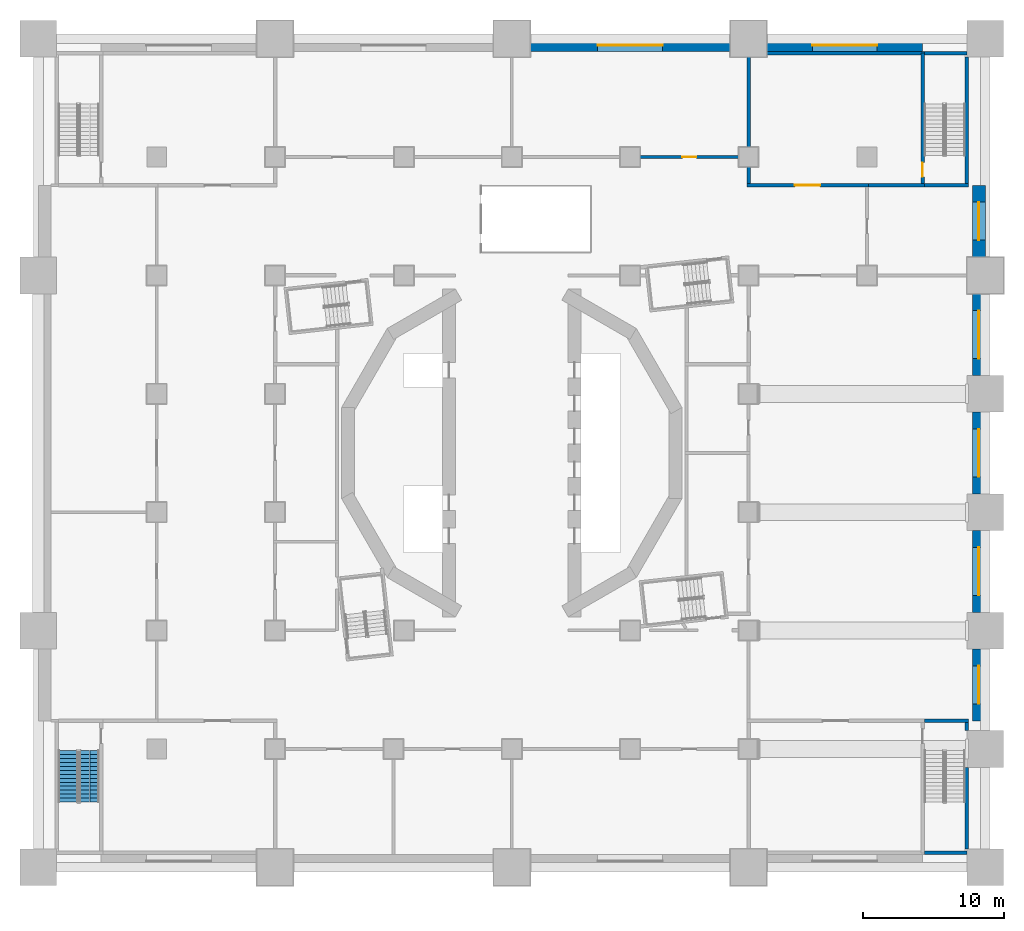
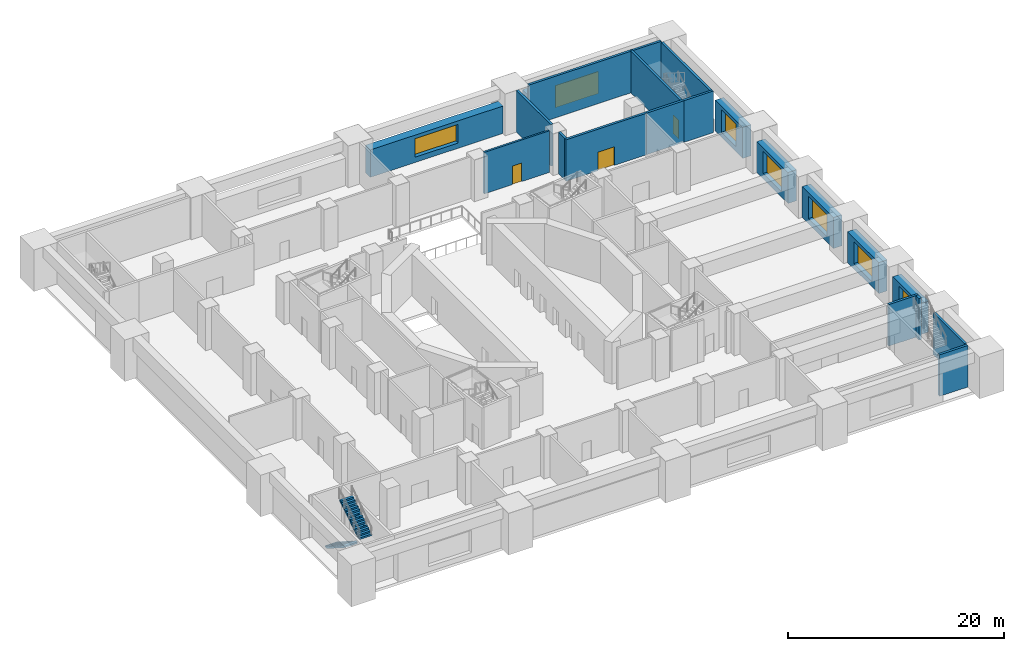
# One storey, part 5 of 17: 21 walls, 7 windows, 3 doors, 2 stair flights, 10 openings, 1 element without a shape of its own.
"""IFC4 building model written with IfcOpenShell, lengths in metres."""

from ifc_helpers import new_model, si_unit, direction, frame, frame_2d, origin, place, context, subcontext, project, spatial, polyline, rectangle, outline, extrude, material, layer, layer_set, type_object, element, fill, aggregate, save


model = new_model("IFC4")

# Units and contexts
model_context = context("Model", 3, precision=1e-05, world=origin(), true_north=direction((0.0, 1.0)))
body_context = subcontext(model_context, "Body", "Model", "MODEL_VIEW")
ifc_project = project(units=[si_unit("LENGTHUNIT", "METRE"), si_unit("AREAUNIT", "SQUARE_METRE"), si_unit("VOLUMEUNIT", "CUBIC_METRE"), si_unit("PLANEANGLEUNIT", "RADIAN"), si_unit("MASSUNIT", "GRAM", prefix="KILO")], contexts=[model_context])

# Site, building, storey
site_placement = place(None, origin())
site = spatial("IfcSite", under=ifc_project, at=site_placement, CompositionType="ELEMENT")
building_placement = place(site_placement, origin())
building = spatial("IfcBuilding", under=site, at=building_placement, Name="Cantera Rosa Tower", CompositionType="ELEMENT")
storey_placement = place(building_placement, frame((0.0, 0.0, 22.0)))
storey = spatial("IfcBuildingStorey", under=building, at=storey_placement, Name="L03", CompositionType="ELEMENT", Elevation=22.0)

# Wall, opening, door
ifc_material_1 = material(Name="Masonry blockwork", Category="masonry")
ifc_layer_1 = layer(ifc_material_1, 0.199951171875)
ifc_layer_set_1 = layer_set([ifc_layer_1], Name="Blockwork partition 200")
wall_type_1 = type_object("IfcWallType", Name="Blockwork partition 200", PredefinedType="PARTITIONING", material=ifc_layer_set_1)
wall_1_placement = place(storey_placement, frame((9.10009765625, 21.0, 0.0), z_axis=(0.0, 0.0, 1.0), x_axis=(1.0, 0.0, 0.0)))
wall_1 = element("IfcWall", 1, at=wall_1_placement, inside=storey, type_object=wall_type_1, Name="Partition L03-82", PredefinedType="PARTITIONING", context=body_context, shape_type="SweptSolid", body=[
    extrude(rectangle(XDim=7.0, YDim=0.199951171875, at=frame_2d((3.5, 0.0))), origin(), (0.0, 0.0, 1.0), 4.699951171875),
])
opening_1_placement = place(wall_1_placement, frame((3.0, 0.0, 0.0)))
opening_1 = element("IfcOpeningElement", 2, at=opening_1_placement, cuts=wall_1, Name="Opening L03-002", PredefinedType="OPENING", context=body_context, shape_type="SweptSolid", body=[
    extrude(rectangle(XDim=1.0, YDim=2.10009765625, at=frame_2d((0.5, 1.050048828125))), frame((0.0, 0.10986328125, 0.0), z_axis=(0.0, -1.0, 0.0), x_axis=(1.0, 0.0, 0.0)), (0.0, 0.0, 1.0), 0.219970703125),
])
ifc_material_2 = material(Name="Timber", Category="wood")
door_type_1 = type_object("IfcDoorType", Name="Door 1000x2100", OperationType="NOTDEFINED", PredefinedType="DOOR", material=ifc_material_2)
door_1_placement = place(opening_1_placement, origin())
door_1 = element("IfcDoor", 3, at=door_1_placement, inside=storey, type_object=door_type_1, Name="Door L03-002", OverallHeight=2.10009765625, OverallWidth=1.0, PredefinedType="DOOR", context=body_context, shape_type="SweptSolid", body=[
    extrude(rectangle(XDim=1.0, YDim=2.10009765625, at=frame_2d((0.5, 1.050048828125))), frame((0.0, 0.02490234375, 0.0), z_axis=(0.0, -1.0, 0.0), x_axis=(1.0, 0.0, 0.0)), (0.0, 0.0, 1.0), 0.050048828125),
])
fill(opening_1, door_1)

# Walls
ifc_material_3 = material(Name="Concrete C50/60", Category="concrete")
ifc_layer_2 = layer(ifc_material_3, 0.25)
ifc_layer_set_2 = layer_set([ifc_layer_2], Name="External stair wall 250")
wall_type_2 = type_object("IfcWallType", Name="External stair wall 250", PredefinedType="SOLIDWALL", material=ifc_layer_set_2)
for number, where, z_axis, x_axis, name in (
    (4, (29.27490234375, 28.375, 0.0), (0.0, 0.0, 1.0), (1.0, 0.0, 0.0), "Stair wall L03-53"),
    (5, (32.300048828125, -28.375, 0.0), (0.0, 0.0, 1.0), (-1.0, 0.0, 0.0), "Stair wall L03-76"),
):
    element("IfcWall", number, at=place(storey_placement, frame(where, z_axis=z_axis, x_axis=x_axis)), inside=storey, type_object=wall_type_2, Name=name, PredefinedType="SOLIDWALL", context=body_context, shape_type="SweptSolid", body=[
        extrude(rectangle(XDim=3.025146484375, YDim=0.25, at=frame_2d((1.5126953125, 0.0))), origin(), (0.0, 0.0, 1.0), 4.699951171875),
    ])
ifc_material_4 = material(Name="Masonry blockwork", Category="masonry")
ifc_layer_3 = layer(ifc_material_4, 0.25)
ifc_layer_set_3 = layer_set([ifc_layer_3], Name="Fire-rated external wall 250")
wall_type_3 = type_object("IfcWallType", Name="Fire-rated external wall 250", PredefinedType="PARTITIONING", material=ifc_layer_set_3)
wall_2_placement = place(storey_placement, frame((18.10009765625, 28.375, 0.0), z_axis=(0.0, 0.0, 1.0), x_axis=(1.0, 0.0, 0.0)))
element("IfcWall", 6, at=wall_2_placement, inside=storey, type_object=wall_type_3, Name="Fire wall L03-52", PredefinedType="PARTITIONING", context=body_context, shape_type="SweptSolid", body=[
    extrude(rectangle(XDim=11.1748046875, YDim=0.25, at=frame_2d((5.58740234375, 0.0))), origin(), (0.0, 0.0, 1.0), 4.699951171875),
])
ifc_material_5 = material(Name="Masonry blockwork", Category="masonry")
ifc_layer_4 = layer(ifc_material_5, 0.25)
ifc_layer_set_4 = layer_set([ifc_layer_4], Name="Fire-rated wall 250")
wall_type_4 = type_object("IfcWallType", Name="Fire-rated wall 250", PredefinedType="PARTITIONING", material=ifc_layer_set_4)
wall_3_placement = place(storey_placement, frame((16.800048828125, 19.125, 0.0), z_axis=(0.0, 0.0, 1.0), x_axis=(0.0, 1.0, 0.0)))
element("IfcWall", 7, at=wall_3_placement, inside=storey, type_object=wall_type_4, Name="Fire wall L03-32", PredefinedType="PARTITIONING", context=body_context, shape_type="SweptSolid", body=[
    extrude(rectangle(XDim=1.175048828125, YDim=0.25, at=frame_2d((0.58740234375, 0.0))), origin(), (0.0, 0.0, 1.0), 4.699951171875),
])
wall_4_placement = place(storey_placement, frame((16.800048828125, 21.699951171875, 0.0), z_axis=(0.0, 0.0, 1.0), x_axis=(0.0, 1.0, 0.0)))
element("IfcWall", 8, at=wall_4_placement, inside=storey, type_object=wall_type_4, Name="Fire wall L03-33", PredefinedType="PARTITIONING", context=body_context, shape_type="SweptSolid", body=[
    extrude(rectangle(XDim=6.400146484375, YDim=0.25, at=frame_2d((3.2001953125, 0.0))), origin(), (0.0, 0.0, 1.0), 4.699951171875),
])

# Wall, opening, door
wall_5_placement = place(storey_placement, frame((16.675048828125, 19.0, 0.0), z_axis=(0.0, 0.0, 1.0), x_axis=(1.0, 0.0, 0.0)))
wall_5 = element("IfcWall", 9, at=wall_5_placement, inside=storey, type_object=wall_type_4, Name="Fire wall L03-60", PredefinedType="PARTITIONING", context=body_context, shape_type="SweptSolid", body=[
    extrude(rectangle(XDim=8.625, YDim=0.25, at=frame_2d((4.3125, 0.0))), origin(), (0.0, 0.0, 1.0), 4.699951171875),
])
opening_2_placement = place(wall_5_placement, frame((3.41259765625, 0.0, 0.0)))
opening_2 = element("IfcOpeningElement", 10, at=opening_2_placement, cuts=wall_5, Name="Opening L03-016", PredefinedType="OPENING", context=body_context, shape_type="SweptSolid", body=[
    extrude(rectangle(XDim=1.800048828125, YDim=2.10009765625, at=frame_2d((0.89990234375, 1.050048828125))), frame((0.0, 0.135009765625, 0.0), z_axis=(0.0, -1.0, 0.0), x_axis=(1.0, 0.0, 0.0)), (0.0, 0.0, 1.0), 0.27001953125),
])
ifc_material_6 = material(Name="Steel S355J2 (EN 10025-2)", Category="steel")
door_type_2 = type_object("IfcDoorType", Name="Fire double door 1800x2100", OperationType="NOTDEFINED", PredefinedType="DOOR", material=ifc_material_6)
door_2_placement = place(opening_2_placement, origin())
door_2 = element("IfcDoor", 11, at=door_2_placement, inside=storey, type_object=door_type_2, Name="Door L03-016", OperationType="DOUBLE_DOOR_SINGLE_SWING", OverallHeight=2.10009765625, OverallWidth=1.800048828125, PredefinedType="DOOR", context=body_context, shape_type="SweptSolid", body=[
    extrude(rectangle(XDim=1.800048828125, YDim=2.10009765625, at=frame_2d((0.89990234375, 1.050048828125))), frame((0.0, 0.02490234375, 0.0), z_axis=(0.0, -1.0, 0.0), x_axis=(1.0, 0.0, 0.0)), (0.0, 0.0, 1.0), 0.050048828125),
])
fill(opening_2, door_2)

# Walls
wall_6_placement = place(storey_placement, frame((25.300048828125, 19.0, 0.0), z_axis=(0.0, 0.0, 1.0), x_axis=(1.0, 0.0, 0.0)))
element("IfcWall", 12, at=wall_6_placement, inside=storey, type_object=wall_type_4, Name="Fire wall L03-61", PredefinedType="PARTITIONING", context=body_context, shape_type="SweptSolid", body=[
    extrude(rectangle(XDim=3.974853515625, YDim=0.25, at=frame_2d((1.9873046875, 0.0))), origin(), (0.0, 0.0, 1.0), 4.699951171875),
])
ifc_material_7 = material(Name="Concrete C50/60", Category="concrete")
ifc_layer_5 = layer(ifc_material_7, 0.25)
ifc_layer_set_5 = layer_set([ifc_layer_5], Name="RC stair wall 250 C50/60")
wall_type_5 = type_object("IfcWallType", Name="RC stair wall 250", PredefinedType="SOLIDWALL", material=ifc_layer_set_5)
wall_7_placement = place(storey_placement, frame((32.300048828125, -28.10009765625, 0.0), z_axis=(0.0, 0.0, 1.0), x_axis=(0.0, 1.0, 0.0)))
element("IfcWall", 13, at=wall_7_placement, inside=storey, type_object=wall_type_5, Name="Stair wall L03-47", PredefinedType="SOLIDWALL", context=body_context, shape_type="SweptSolid", body=[
    extrude(rectangle(XDim=5.800048828125, YDim=0.25, at=frame_2d((2.89990234375, 0.0))), origin(), (0.0, 0.0, 1.0), 4.699951171875),
])
wall_8_placement = place(storey_placement, frame((32.300048828125, -19.699951171875, 0.0), z_axis=(0.0, 0.0, 1.0), x_axis=(0.0, 1.0, 0.0)))
element("IfcWall", 14, at=wall_8_placement, inside=storey, type_object=wall_type_5, Name="Stair wall L03-48", PredefinedType="SOLIDWALL", context=body_context, shape_type="SweptSolid", body=[
    extrude(rectangle(XDim=0.574951171875, YDim=0.25, at=frame_2d((0.28759765625, 0.0))), origin(), (0.0, 0.0, 1.0), 4.699951171875),
])
wall_9_placement = place(storey_placement, frame((32.300048828125, 19.125, 0.0), z_axis=(0.0, 0.0, 1.0), x_axis=(0.0, 1.0, 0.0)))
element("IfcWall", 15, at=wall_9_placement, inside=storey, type_object=wall_type_5, Name="Stair wall L03-49", PredefinedType="SOLIDWALL", context=body_context, shape_type="SweptSolid", body=[
    extrude(rectangle(XDim=8.97509765625, YDim=0.25, at=frame_2d((4.487548828125, 0.0))), origin(), (0.0, 0.0, 1.0), 4.699951171875),
])

# Wall, opening, door
wall_10_placement = place(storey_placement, frame((29.14990234375, 19.125, 0.0), z_axis=(0.0, 0.0, 1.0), x_axis=(0.0, 1.0, 0.0)))
wall_10 = element("IfcWall", 16, at=wall_10_placement, inside=storey, type_object=wall_type_5, Name="Stair wall L03-55", PredefinedType="SOLIDWALL", context=body_context, shape_type="SweptSolid", body=[
    extrude(rectangle(XDim=9.25, YDim=0.25, at=frame_2d((4.625, 0.0))), origin(), (0.0, 0.0, 1.0), 4.699951171875),
])
opening_3_placement = place(wall_10_placement, frame((0.47509765625, 0.0, 0.0)))
opening_3 = element("IfcOpeningElement", 17, at=opening_3_placement, cuts=wall_10, Name="Opening L03-017", PredefinedType="OPENING", context=body_context, shape_type="SweptSolid", body=[
    extrude(rectangle(XDim=1.0, YDim=2.10009765625, at=frame_2d((0.5, 1.050048828125))), frame((0.0, 0.135009765625, 0.0), z_axis=(0.0, -1.0, 0.0), x_axis=(1.0, 0.0, 0.0)), (0.0, 0.0, 1.0), 0.27001953125),
])
ifc_material_8 = material(Name="Steel S355J2 (EN 10025-2)", Category="steel")
door_type_3 = type_object("IfcDoorType", Name="Fire door 1000x2100 EI 120", OperationType="NOTDEFINED", PredefinedType="DOOR", material=ifc_material_8)
door_3_placement = place(opening_3_placement, origin())
door_3 = element("IfcDoor", 18, at=door_3_placement, inside=storey, type_object=door_type_3, Name="Door L03-017", OverallHeight=2.10009765625, OverallWidth=1.0, PredefinedType="DOOR", context=body_context, shape_type="SweptSolid", body=[
    extrude(rectangle(XDim=1.0, YDim=2.10009765625, at=frame_2d((0.5, 1.050048828125))), frame((0.0, 0.02490234375, 0.0), z_axis=(0.0, -1.0, 0.0), x_axis=(1.0, 0.0, 0.0)), (0.0, 0.0, 1.0), 0.050048828125),
])
fill(opening_3, door_3)

# Walls
for number, where, z_axis, x_axis, name in (
    (19, (29.27490234375, 19.0, 0.0), (0.0, 0.0, 1.0), (1.0, 0.0, 0.0), "Stair wall L03-62"),
    (20, (29.27490234375, -19.0, 0.0), (0.0, 0.0, 1.0), (1.0, 0.0, 0.0), "Stair wall L03-72"),
):
    element("IfcWall", number, at=place(storey_placement, frame(where, z_axis=z_axis, x_axis=x_axis)), inside=storey, type_object=wall_type_5, Name=name, PredefinedType="SOLIDWALL", context=body_context, shape_type="SweptSolid", body=[
        extrude(rectangle(XDim=3.150146484375, YDim=0.25, at=frame_2d((1.5751953125, 0.0))), origin(), (0.0, 0.0, 1.0), 4.699951171875),
    ])

# Wall, opening, window
ifc_material_9 = material(Name="Concrete C40/50 with limestone facing", Category="masonry")
ifc_layer_6 = layer(ifc_material_9, 0.89990234375)
ifc_layer_set_6 = layer_set([ifc_layer_6], Name="Stone podium wall 900")
wall_type_6 = type_object("IfcWallType", Name="Stone podium wall 900", PredefinedType="SOLIDWALL", material=ifc_layer_set_6)
wall_11_placement = place(storey_placement, frame((18.10009765625, 28.949951171875, 0.0), z_axis=(0.0, 0.0, 1.0), x_axis=(1.0, 0.0, 0.0)))
wall_11 = element("IfcWall", 21, at=wall_11_placement, inside=storey, type_object=wall_type_6, Name="Stone wall N L03-4", PredefinedType="SOLIDWALL", context=body_context, shape_type="SweptSolid", body=[
    extrude(rectangle(XDim=11.0498046875, YDim=0.89990234375, at=frame_2d((5.52490234375, 0.0))), origin(), (0.0, 0.0, 1.0), 3.5),
])
opening_4_placement = place(wall_11_placement, frame((3.22509765625, 0.0, 0.60009765625)))
opening_4 = element("IfcOpeningElement", 22, at=opening_4_placement, cuts=wall_11, Name="Opening L03-PWN4", PredefinedType="OPENING", context=body_context, shape_type="SweptSolid", body=[
    extrude(rectangle(XDim=4.60009765625, YDim=2.5, at=frame_2d((2.300048828125, 1.25))), frame((0.0, 0.4599609375, 0.0), z_axis=(0.0, -1.0, 0.0), x_axis=(1.0, 0.0, 0.0)), (0.0, 0.0, 1.0), 0.919921875),
])
ifc_material_10 = material(Name="Glass", Category="glass")
window_type_1 = type_object("IfcWindowType", Name="Podium window 4600x2500", PartitioningType="SINGLE_PANEL", PredefinedType="WINDOW", material=ifc_material_10)
window_1_placement = place(opening_4_placement, origin())
window_1 = element("IfcWindow", 23, at=window_1_placement, inside=storey, type_object=window_type_1, Name="Podium window L03-N4", OverallHeight=2.5, OverallWidth=4.60009765625, PartitioningType="SINGLE_PANEL", PredefinedType="WINDOW", context=body_context, shape_type="SweptSolid", body=[
    extrude(rectangle(XDim=4.60009765625, YDim=2.5, at=frame_2d((2.300048828125, 1.25))), frame((0.0, 0.030029296875, 0.0), z_axis=(0.0, -1.0, 0.0), x_axis=(1.0, 0.0, 0.0)), (0.0, 0.0, 1.0), 0.06005859375),
])
fill(opening_4, window_1)

wall_12_placement = place(storey_placement, frame((33.14990234375, -19.0, 0.0), z_axis=(0.0, 0.0, 1.0), x_axis=(0.0, 1.0, 0.0)))
wall_12 = element("IfcWall", 24, at=wall_12_placement, inside=storey, type_object=wall_type_6, Name="Stone wall E L03-1", PredefinedType="SOLIDWALL", context=body_context, shape_type="SweptSolid", body=[
    extrude(rectangle(XDim=5.10009765625, YDim=0.89990234375, at=frame_2d((2.550048828125, 0.0))), origin(), (0.0, 0.0, 1.0), 3.5),
])
opening_5_placement = place(wall_12_placement, frame((1.199951171875, 0.0, 0.60009765625)))
opening_5 = element("IfcOpeningElement", 25, at=opening_5_placement, cuts=wall_12, Name="Opening L03-PWE1", PredefinedType="OPENING", context=body_context, shape_type="SweptSolid", body=[
    extrude(rectangle(XDim=2.699951171875, YDim=2.5, at=frame_2d((1.35009765625, 1.25))), frame((0.0, 0.4599609375, 0.0), z_axis=(0.0, -1.0, 0.0), x_axis=(1.0, 0.0, 0.0)), (0.0, 0.0, 1.0), 0.919921875),
])
ifc_material_11 = material(Name="Glass", Category="glass")
window_type_2 = type_object("IfcWindowType", Name="Podium window 2700x2500", PartitioningType="SINGLE_PANEL", PredefinedType="WINDOW", material=ifc_material_11)
window_2_placement = place(opening_5_placement, origin())
window_2 = element("IfcWindow", 26, at=window_2_placement, inside=storey, type_object=window_type_2, Name="Podium window L03-E1", OverallHeight=2.5, OverallWidth=2.699951171875, PartitioningType="SINGLE_PANEL", PredefinedType="WINDOW", context=body_context, shape_type="SweptSolid", body=[
    extrude(rectangle(XDim=2.699951171875, YDim=2.5, at=frame_2d((1.35009765625, 1.25))), frame((0.0, 0.030029296875, 0.0), z_axis=(0.0, -1.0, 0.0), x_axis=(1.0, 0.0, 0.0)), (0.0, 0.0, 1.0), 0.06005859375),
])
fill(opening_5, window_2)

wall_13_placement = place(storey_placement, frame((33.14990234375, -11.300048828125, 0.0), z_axis=(0.0, 0.0, 1.0), x_axis=(0.0, 1.0, 0.0)))
wall_13 = element("IfcWall", 27, at=wall_13_placement, inside=storey, type_object=wall_type_6, Name="Stone wall E L03-2", PredefinedType="SOLIDWALL", context=body_context, shape_type="SweptSolid", body=[
    extrude(rectangle(XDim=5.800048828125, YDim=0.89990234375, at=frame_2d((2.89990234375, 0.0))), origin(), (0.0, 0.0, 1.0), 3.5),
])
opening_6_placement = place(wall_13_placement, frame((1.199951171875, 0.0, 0.60009765625)))
opening_6 = element("IfcOpeningElement", 28, at=opening_6_placement, cuts=wall_13, Name="Opening L03-PWE2", PredefinedType="OPENING", context=body_context, shape_type="SweptSolid", body=[
    extrude(rectangle(XDim=3.39990234375, YDim=2.5, at=frame_2d((1.699951171875, 1.25))), frame((0.0, 0.4599609375, 0.0), z_axis=(0.0, -1.0, 0.0), x_axis=(1.0, 0.0, 0.0)), (0.0, 0.0, 1.0), 0.919921875),
])
ifc_material_12 = material(Name="Glass", Category="glass")
window_type_3 = type_object("IfcWindowType", Name="Podium window 3400x2500", PartitioningType="SINGLE_PANEL", PredefinedType="WINDOW", material=ifc_material_12)
window_3_placement = place(opening_6_placement, origin())
window_3 = element("IfcWindow", 29, at=window_3_placement, inside=storey, type_object=window_type_3, Name="Podium window L03-E2", OverallHeight=2.5, OverallWidth=3.39990234375, PartitioningType="SINGLE_PANEL", PredefinedType="WINDOW", context=body_context, shape_type="SweptSolid", body=[
    extrude(rectangle(XDim=3.39990234375, YDim=2.5, at=frame_2d((1.699951171875, 1.25))), frame((0.0, 0.030029296875, 0.0), z_axis=(0.0, -1.0, 0.0), x_axis=(1.0, 0.0, 0.0)), (0.0, 0.0, 1.0), 0.06005859375),
])
fill(opening_6, window_3)

wall_14_placement = place(storey_placement, frame((33.14990234375, -2.89990234375, 0.0), z_axis=(0.0, 0.0, 1.0), x_axis=(0.0, 1.0, 0.0)))
wall_14 = element("IfcWall", 30, at=wall_14_placement, inside=storey, type_object=wall_type_6, Name="Stone wall E L03-3", PredefinedType="SOLIDWALL", context=body_context, shape_type="SweptSolid", body=[
    extrude(rectangle(XDim=5.7998046875, YDim=0.89990234375, at=frame_2d((2.89990234375, 0.0))), origin(), (0.0, 0.0, 1.0), 3.5),
])
opening_7_placement = place(wall_14_placement, frame((1.199951171875, 0.0, 0.60009765625)))
opening_7 = element("IfcOpeningElement", 31, at=opening_7_placement, cuts=wall_14, Name="Opening L03-PWE3", PredefinedType="OPENING", context=body_context, shape_type="SweptSolid", body=[
    extrude(rectangle(XDim=3.39990234375, YDim=2.5, at=frame_2d((1.699951171875, 1.25))), frame((0.0, 0.4599609375, 0.0), z_axis=(0.0, -1.0, 0.0), x_axis=(1.0, 0.0, 0.0)), (0.0, 0.0, 1.0), 0.919921875),
])
window_4_placement = place(opening_7_placement, origin())
window_4 = element("IfcWindow", 32, at=window_4_placement, inside=storey, type_object=window_type_3, Name="Podium window L03-E3", OverallHeight=2.5, OverallWidth=3.39990234375, PartitioningType="SINGLE_PANEL", PredefinedType="WINDOW", context=body_context, shape_type="SweptSolid", body=[
    extrude(rectangle(XDim=3.39990234375, YDim=2.5, at=frame_2d((1.699951171875, 1.25))), frame((0.0, 0.030029296875, 0.0), z_axis=(0.0, -1.0, 0.0), x_axis=(1.0, 0.0, 0.0)), (0.0, 0.0, 1.0), 0.06005859375),
])
fill(opening_7, window_4)

wall_15_placement = place(storey_placement, frame((33.14990234375, 5.5, 0.0), z_axis=(0.0, 0.0, 1.0), x_axis=(0.0, 1.0, 0.0)))
wall_15 = element("IfcWall", 33, at=wall_15_placement, inside=storey, type_object=wall_type_6, Name="Stone wall E L03-4", PredefinedType="SOLIDWALL", context=body_context, shape_type="SweptSolid", body=[
    extrude(rectangle(XDim=5.800048828125, YDim=0.89990234375, at=frame_2d((2.89990234375, 0.0))), origin(), (0.0, 0.0, 1.0), 3.5),
])
opening_8_placement = place(wall_15_placement, frame((1.199951171875, 0.0, 0.60009765625)))
opening_8 = element("IfcOpeningElement", 34, at=opening_8_placement, cuts=wall_15, Name="Opening L03-PWE4", PredefinedType="OPENING", context=body_context, shape_type="SweptSolid", body=[
    extrude(rectangle(XDim=3.39990234375, YDim=2.5, at=frame_2d((1.699951171875, 1.25))), frame((0.0, 0.4599609375, 0.0), z_axis=(0.0, -1.0, 0.0), x_axis=(1.0, 0.0, 0.0)), (0.0, 0.0, 1.0), 0.919921875),
])
window_5_placement = place(opening_8_placement, origin())
window_5 = element("IfcWindow", 35, at=window_5_placement, inside=storey, type_object=window_type_3, Name="Podium window L03-E4", OverallHeight=2.5, OverallWidth=3.39990234375, PartitioningType="SINGLE_PANEL", PredefinedType="WINDOW", context=body_context, shape_type="SweptSolid", body=[
    extrude(rectangle(XDim=3.39990234375, YDim=2.5, at=frame_2d((1.699951171875, 1.25))), frame((0.0, 0.030029296875, 0.0), z_axis=(0.0, -1.0, 0.0), x_axis=(1.0, 0.0, 0.0)), (0.0, 0.0, 1.0), 0.06005859375),
])
fill(opening_8, window_5)

wall_16_placement = place(storey_placement, frame((33.14990234375, 13.89990234375, 0.0), z_axis=(0.0, 0.0, 1.0), x_axis=(0.0, 1.0, 0.0)))
wall_16 = element("IfcWall", 36, at=wall_16_placement, inside=storey, type_object=wall_type_6, Name="Stone wall E L03-5", PredefinedType="SOLIDWALL", context=body_context, shape_type="SweptSolid", body=[
    extrude(rectangle(XDim=5.10009765625, YDim=0.89990234375, at=frame_2d((2.550048828125, 0.0))), origin(), (0.0, 0.0, 1.0), 3.5),
])
opening_9_placement = place(wall_16_placement, frame((1.199951171875, 0.0, 0.60009765625)))
opening_9 = element("IfcOpeningElement", 37, at=opening_9_placement, cuts=wall_16, Name="Opening L03-PWE5", PredefinedType="OPENING", context=body_context, shape_type="SweptSolid", body=[
    extrude(rectangle(XDim=2.699951171875, YDim=2.5, at=frame_2d((1.35009765625, 1.25))), frame((0.0, 0.4599609375, 0.0), z_axis=(0.0, -1.0, 0.0), x_axis=(1.0, 0.0, 0.0)), (0.0, 0.0, 1.0), 0.919921875),
])
window_6_placement = place(opening_9_placement, origin())
window_6 = element("IfcWindow", 38, at=window_6_placement, inside=storey, type_object=window_type_2, Name="Podium window L03-E5", OverallHeight=2.5, OverallWidth=2.699951171875, PartitioningType="SINGLE_PANEL", PredefinedType="WINDOW", context=body_context, shape_type="SweptSolid", body=[
    extrude(rectangle(XDim=2.699951171875, YDim=2.5, at=frame_2d((1.35009765625, 1.25))), frame((0.0, 0.030029296875, 0.0), z_axis=(0.0, -1.0, 0.0), x_axis=(1.0, 0.0, 0.0)), (0.0, 0.0, 1.0), 0.06005859375),
])
fill(opening_9, window_6)

ifc_material_13 = material(Name="Concrete C40/50 with limestone facing", Category="masonry")
ifc_layer_7 = layer(ifc_material_13, 0.89990234375)
ifc_layer_set_7 = layer_set([ifc_layer_7], Name="Stone podium wall 900 under deep girder")
wall_type_7 = type_object("IfcWallType", Name="Stone podium wall 900 under deep girder", PredefinedType="SOLIDWALL", material=ifc_layer_set_7)
wall_17_placement = place(storey_placement, frame((1.300048828125, 28.949951171875, 0.0), z_axis=(0.0, 0.0, 1.0), x_axis=(1.0, 0.0, 0.0)))
wall_17 = element("IfcWall", 39, at=wall_17_placement, inside=storey, type_object=wall_type_7, Name="Stone wall N L03-3", PredefinedType="SOLIDWALL", context=body_context, shape_type="SweptSolid", body=[
    extrude(rectangle(XDim=14.199951171875, YDim=0.89990234375, at=frame_2d((7.10009765625, 0.0))), origin(), (0.0, 0.0, 1.0), 3.10009765625),
])
opening_10_placement = place(wall_17_placement, frame((4.800048828125, 0.0, 0.60009765625)))
opening_10 = element("IfcOpeningElement", 40, at=opening_10_placement, cuts=wall_17, Name="Opening L03-PWN3", PredefinedType="OPENING", context=body_context, shape_type="SweptSolid", body=[
    extrude(rectangle(XDim=4.60009765625, YDim=2.10009765625, at=frame_2d((2.300048828125, 1.050048828125))), frame((0.0, 0.4599609375, 0.0), z_axis=(0.0, -1.0, 0.0), x_axis=(1.0, 0.0, 0.0)), (0.0, 0.0, 1.0), 0.919921875),
])
ifc_material_14 = material(Name="Glass", Category="glass")
window_type_4 = type_object("IfcWindowType", Name="Podium window 4600x2100", PartitioningType="SINGLE_PANEL", PredefinedType="WINDOW", material=ifc_material_14)
window_7_placement = place(opening_10_placement, origin())
window_7 = element("IfcWindow", 41, at=window_7_placement, inside=storey, type_object=window_type_4, Name="Podium window L03-N3", OverallHeight=2.10009765625, OverallWidth=4.60009765625, PartitioningType="SINGLE_PANEL", PredefinedType="WINDOW", context=body_context, shape_type="SweptSolid", body=[
    extrude(rectangle(XDim=4.60009765625, YDim=2.10009765625, at=frame_2d((2.300048828125, 1.050048828125))), frame((0.0, 0.030029296875, 0.0), z_axis=(0.0, -1.0, 0.0), x_axis=(1.0, 0.0, 0.0)), (0.0, 0.0, 1.0), 0.06005859375),
])
fill(opening_10, window_7)

# Stair, stair flights
ifc_material_15 = material(Name="Concrete C35/45", Category="concrete")
stair_type = type_object("IfcStairType", Name="Stair half-turn 1350", PredefinedType="HALF_TURN_STAIR", material=ifc_material_15)
stair_placement = place(storey_placement, origin())
stair = element("IfcStair", 42, at=stair_placement, inside=storey, type_object=stair_type, Name="L03 ST-SW", PredefinedType="HALF_TURN_STAIR")
ifc_material_16 = material(Name="Concrete C35/45", Category="concrete")
stair_flight_type = type_object("IfcStairFlightType", Name="Stair flight 1350", PredefinedType="STRAIGHT", material=ifc_material_16)
stair_flight_1_placement = place(storey_placement, frame((-31.5, -21.125, 0.0), z_axis=(0.0, 0.0, 1.0), x_axis=(0.0, -1.0, 0.0)))
stair_flight_1 = element("IfcStairFlight", 43, at=stair_flight_1_placement, type_object=stair_flight_type, Name="ST-SW flight 1", NumberOfRisers=14, NumberOfTreads=13, PredefinedType="STRAIGHT", RiserHeight=0.178571429, TreadLength=0.28, context=body_context, shape_type="SweptSolid", body=[
    extrude(outline(polyline([(0.0, 0.0), (0.0, 0.178466796875), (0.280029296875, 0.178466796875), (0.280029296875, 0.357177734375), (0.56005859375, 0.357177734375), (0.56005859375, 0.53564453125), (0.840087890625, 0.53564453125), (0.840087890625, 0.71435546875), (1.1201171875, 0.71435546875), (1.1201171875, 0.892822265625), (1.39990234375, 0.892822265625), (1.39990234375, 1.071533203125), (1.679931640625, 1.071533203125), (1.679931640625, 1.25), (1.9599609375, 1.25), (1.9599609375, 1.428466796875), (2.239990234375, 1.428466796875), (2.239990234375, 1.607177734375), (2.52001953125, 1.607177734375), (2.52001953125, 1.78564453125), (2.800048828125, 1.78564453125), (2.800048828125, 1.96435546875), (3.080078125, 1.96435546875), (3.080078125, 2.142822265625), (3.360107421875, 2.142822265625), (3.360107421875, 2.321533203125), (3.639892578125, 2.321533203125), (3.639892578125, 2.5), (3.639892578125, 2.1435546875), (0.27880859375, 0.0), (0.0, 0.0)])), frame((0.0, 0.675048828125, 0.0), z_axis=(0.0, -1.0, 0.0), x_axis=(1.0, 0.0, 0.0)), (0.0, 0.0, 1.0), 0.3359375),
    extrude(outline(polyline([(0.0, 0.0), (0.0, 0.178466796875), (0.280029296875, 0.178466796875), (0.280029296875, 0.357177734375), (0.56005859375, 0.357177734375), (0.56005859375, 0.53564453125), (0.840087890625, 0.53564453125), (0.840087890625, 0.71435546875), (1.1201171875, 0.71435546875), (1.1201171875, 0.892822265625), (1.39990234375, 0.892822265625), (1.39990234375, 1.071533203125), (1.679931640625, 1.071533203125), (1.679931640625, 1.25), (1.9599609375, 1.25), (1.9599609375, 1.428466796875), (2.239990234375, 1.428466796875), (2.239990234375, 1.607177734375), (2.52001953125, 1.607177734375), (2.52001953125, 1.78564453125), (2.800048828125, 1.78564453125), (2.800048828125, 1.96435546875), (3.080078125, 1.96435546875), (3.080078125, 2.142822265625), (3.360107421875, 2.142822265625), (3.360107421875, 2.321533203125), (3.639892578125, 2.321533203125), (3.639892578125, 2.5), (3.639892578125, 2.1435546875), (0.27880859375, 0.0), (0.0, 0.0)])), frame((0.0, 0.337158203125, 0.0), z_axis=(0.0, -1.0, 0.0), x_axis=(1.0, 0.0, 0.0)), (0.0, 0.0, 1.0), 0.3359375),
    extrude(outline(polyline([(0.0, 0.0), (0.0, 0.178466796875), (0.280029296875, 0.178466796875), (0.280029296875, 0.357177734375), (0.56005859375, 0.357177734375), (0.56005859375, 0.53564453125), (0.840087890625, 0.53564453125), (0.840087890625, 0.71435546875), (1.1201171875, 0.71435546875), (1.1201171875, 0.892822265625), (1.39990234375, 0.892822265625), (1.39990234375, 1.071533203125), (1.679931640625, 1.071533203125), (1.679931640625, 1.25), (1.9599609375, 1.25), (1.9599609375, 1.428466796875), (2.239990234375, 1.428466796875), (2.239990234375, 1.607177734375), (2.52001953125, 1.607177734375), (2.52001953125, 1.78564453125), (2.800048828125, 1.78564453125), (2.800048828125, 1.96435546875), (3.080078125, 1.96435546875), (3.080078125, 2.142822265625), (3.360107421875, 2.142822265625), (3.360107421875, 2.321533203125), (3.639892578125, 2.321533203125), (3.639892578125, 2.5), (3.639892578125, 2.1435546875), (0.27880859375, 0.0), (0.0, 0.0)])), frame((0.0, -0.000732421875, 0.0), z_axis=(0.0, -1.0, 0.0), x_axis=(1.0, 0.0, 0.0)), (0.0, 0.0, 1.0), 0.3359375),
    extrude(outline(polyline([(0.0, 0.0), (0.0, 0.178466796875), (0.280029296875, 0.178466796875), (0.280029296875, 0.357177734375), (0.56005859375, 0.357177734375), (0.56005859375, 0.53564453125), (0.840087890625, 0.53564453125), (0.840087890625, 0.71435546875), (1.1201171875, 0.71435546875), (1.1201171875, 0.892822265625), (1.39990234375, 0.892822265625), (1.39990234375, 1.071533203125), (1.679931640625, 1.071533203125), (1.679931640625, 1.25), (1.9599609375, 1.25), (1.9599609375, 1.428466796875), (2.239990234375, 1.428466796875), (2.239990234375, 1.607177734375), (2.52001953125, 1.607177734375), (2.52001953125, 1.78564453125), (2.800048828125, 1.78564453125), (2.800048828125, 1.96435546875), (3.080078125, 1.96435546875), (3.080078125, 2.142822265625), (3.360107421875, 2.142822265625), (3.360107421875, 2.321533203125), (3.639892578125, 2.321533203125), (3.639892578125, 2.5), (3.639892578125, 2.1435546875), (0.27880859375, 0.0), (0.0, 0.0)])), frame((0.0, -0.338623046875, 0.0), z_axis=(0.0, -1.0, 0.0), x_axis=(1.0, 0.0, 0.0)), (0.0, 0.0, 1.0), 0.3359375),
])
stair_flight_2_placement = place(storey_placement, frame((-29.949951171875, -24.764892578125, 2.5), z_axis=(0.0, 0.0, 1.0), x_axis=(0.0, 1.0, 0.0)))
stair_flight_2 = element("IfcStairFlight", 44, at=stair_flight_2_placement, type_object=stair_flight_type, Name="ST-SW flight 2", NumberOfRisers=14, NumberOfTreads=13, PredefinedType="STRAIGHT", RiserHeight=0.178571429, TreadLength=0.28, context=body_context, shape_type="SweptSolid", body=[
    extrude(outline(polyline([(0.0, 0.0), (0.0, 0.178466796875), (0.280029296875, 0.178466796875), (0.280029296875, 0.357177734375), (0.56005859375, 0.357177734375), (0.56005859375, 0.53564453125), (0.840087890625, 0.53564453125), (0.840087890625, 0.71435546875), (1.1201171875, 0.71435546875), (1.1201171875, 0.892822265625), (1.39990234375, 0.892822265625), (1.39990234375, 1.071533203125), (1.679931640625, 1.071533203125), (1.679931640625, 1.25), (1.9599609375, 1.25), (1.9599609375, 1.428466796875), (2.239990234375, 1.428466796875), (2.239990234375, 1.607177734375), (2.52001953125, 1.607177734375), (2.52001953125, 1.78564453125), (2.800048828125, 1.78564453125), (2.800048828125, 1.96435546875), (3.080078125, 1.96435546875), (3.080078125, 2.142822265625), (3.360107421875, 2.142822265625), (3.360107421875, 2.321533203125), (3.639892578125, 2.321533203125), (3.639892578125, 2.5), (3.639892578125, 2.1435546875), (0.27880859375, 0.0), (0.0, 0.0)])), frame((0.0, 0.675048828125, 0.0), z_axis=(0.0, -1.0, 0.0), x_axis=(1.0, 0.0, 0.0)), (0.0, 0.0, 1.0), 0.3359375),
    extrude(outline(polyline([(0.0, 0.0), (0.0, 0.178466796875), (0.280029296875, 0.178466796875), (0.280029296875, 0.357177734375), (0.56005859375, 0.357177734375), (0.56005859375, 0.53564453125), (0.840087890625, 0.53564453125), (0.840087890625, 0.71435546875), (1.1201171875, 0.71435546875), (1.1201171875, 0.892822265625), (1.39990234375, 0.892822265625), (1.39990234375, 1.071533203125), (1.679931640625, 1.071533203125), (1.679931640625, 1.25), (1.9599609375, 1.25), (1.9599609375, 1.428466796875), (2.239990234375, 1.428466796875), (2.239990234375, 1.607177734375), (2.52001953125, 1.607177734375), (2.52001953125, 1.78564453125), (2.800048828125, 1.78564453125), (2.800048828125, 1.96435546875), (3.080078125, 1.96435546875), (3.080078125, 2.142822265625), (3.360107421875, 2.142822265625), (3.360107421875, 2.321533203125), (3.639892578125, 2.321533203125), (3.639892578125, 2.5), (3.639892578125, 2.1435546875), (0.27880859375, 0.0), (0.0, 0.0)])), frame((0.0, 0.337158203125, 0.0), z_axis=(0.0, -1.0, 0.0), x_axis=(1.0, 0.0, 0.0)), (0.0, 0.0, 1.0), 0.3359375),
    extrude(outline(polyline([(0.0, 0.0), (0.0, 0.178466796875), (0.280029296875, 0.178466796875), (0.280029296875, 0.357177734375), (0.56005859375, 0.357177734375), (0.56005859375, 0.53564453125), (0.840087890625, 0.53564453125), (0.840087890625, 0.71435546875), (1.1201171875, 0.71435546875), (1.1201171875, 0.892822265625), (1.39990234375, 0.892822265625), (1.39990234375, 1.071533203125), (1.679931640625, 1.071533203125), (1.679931640625, 1.25), (1.9599609375, 1.25), (1.9599609375, 1.428466796875), (2.239990234375, 1.428466796875), (2.239990234375, 1.607177734375), (2.52001953125, 1.607177734375), (2.52001953125, 1.78564453125), (2.800048828125, 1.78564453125), (2.800048828125, 1.96435546875), (3.080078125, 1.96435546875), (3.080078125, 2.142822265625), (3.360107421875, 2.142822265625), (3.360107421875, 2.321533203125), (3.639892578125, 2.321533203125), (3.639892578125, 2.5), (3.639892578125, 2.1435546875), (0.27880859375, 0.0), (0.0, 0.0)])), frame((0.0, -0.000732421875, 0.0), z_axis=(0.0, -1.0, 0.0), x_axis=(1.0, 0.0, 0.0)), (0.0, 0.0, 1.0), 0.3359375),
    extrude(outline(polyline([(0.0, 0.0), (0.0, 0.178466796875), (0.280029296875, 0.178466796875), (0.280029296875, 0.357177734375), (0.56005859375, 0.357177734375), (0.56005859375, 0.53564453125), (0.840087890625, 0.53564453125), (0.840087890625, 0.71435546875), (1.1201171875, 0.71435546875), (1.1201171875, 0.892822265625), (1.39990234375, 0.892822265625), (1.39990234375, 1.071533203125), (1.679931640625, 1.071533203125), (1.679931640625, 1.25), (1.9599609375, 1.25), (1.9599609375, 1.428466796875), (2.239990234375, 1.428466796875), (2.239990234375, 1.607177734375), (2.52001953125, 1.607177734375), (2.52001953125, 1.78564453125), (2.800048828125, 1.78564453125), (2.800048828125, 1.96435546875), (3.080078125, 1.96435546875), (3.080078125, 2.142822265625), (3.360107421875, 2.142822265625), (3.360107421875, 2.321533203125), (3.639892578125, 2.321533203125), (3.639892578125, 2.5), (3.639892578125, 2.1435546875), (0.27880859375, 0.0), (0.0, 0.0)])), frame((0.0, -0.338623046875, 0.0), z_axis=(0.0, -1.0, 0.0), x_axis=(1.0, 0.0, 0.0)), (0.0, 0.0, 1.0), 0.3359375),
])
aggregate(stair, [stair_flight_1, stair_flight_2])

save(model, "model.ifc")
